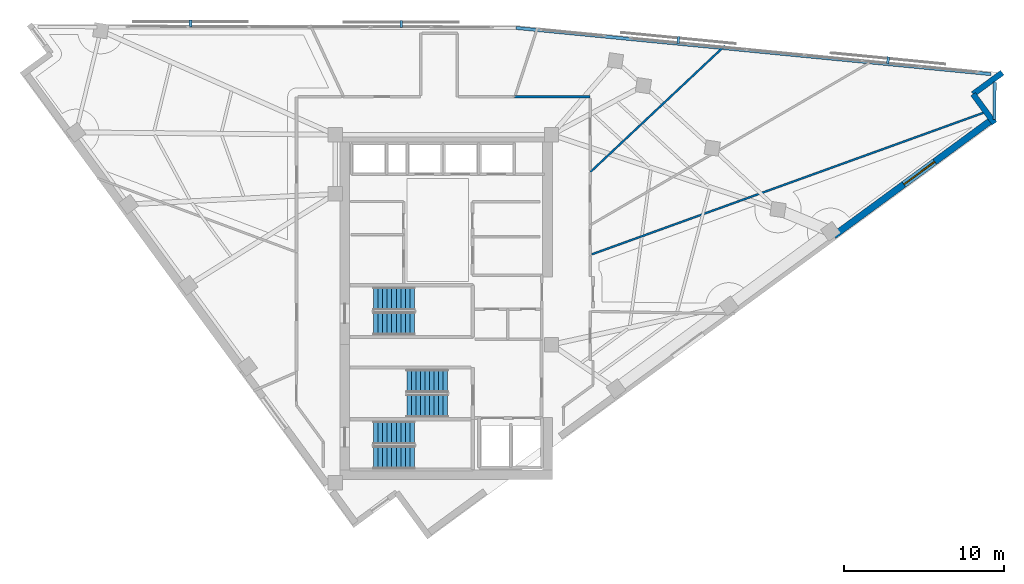
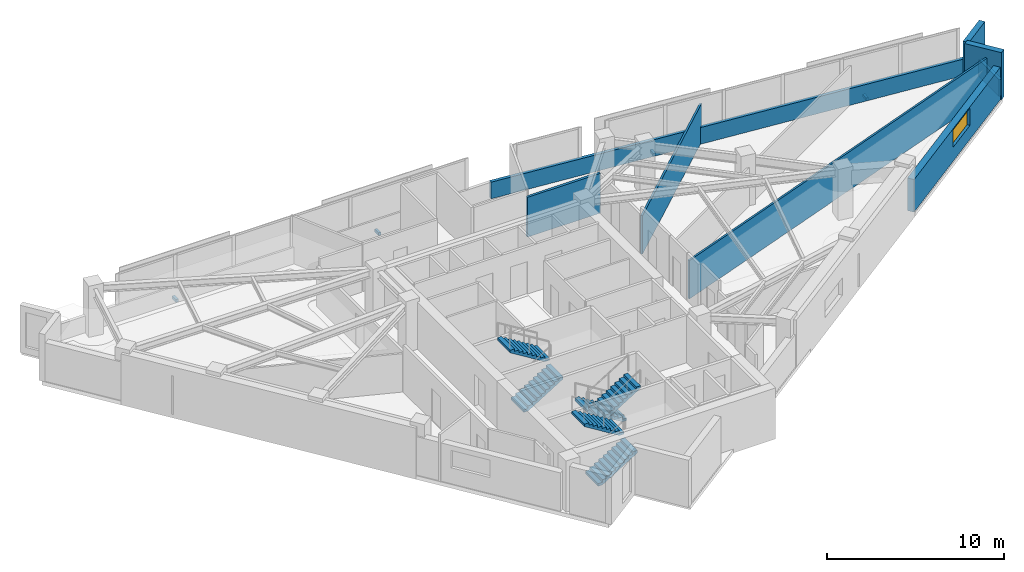
# One storey, part 12 of 14: 8 walls, 6 stair flights, 4 discrete accessories, 1 window, 1 opening, 3 elements without a shape of their own.
"""IFC4 building model written with IfcOpenShell, lengths in metres."""

from ifc_helpers import new_model, si_unit, direction, frame, frame_2d, origin, origin_2d, place, context, subcontext, project, spatial, polyline, rectangle, outline, extrude, material, layer, layer_set, type_object, element, fill, aggregate, save


model = new_model("IFC4")

# Units and contexts
model_context = context("Model", 3, precision=1e-05, world=origin(), true_north=direction((0.0, 1.0)))
body_context = subcontext(model_context, "Body", "Model", "MODEL_VIEW")
ifc_project = project(units=[si_unit("LENGTHUNIT", "METRE"), si_unit("AREAUNIT", "SQUARE_METRE"), si_unit("VOLUMEUNIT", "CUBIC_METRE"), si_unit("PLANEANGLEUNIT", "RADIAN"), si_unit("MASSUNIT", "GRAM", prefix="KILO")], contexts=[model_context])

# Site, building, storey
site_placement = place(None, origin())
site = spatial("IfcSite", under=ifc_project, at=site_placement, CompositionType="ELEMENT")
building_placement = place(site_placement, origin())
building = spatial("IfcBuilding", under=site, at=building_placement, Name="Narakoshi Arena Tower", CompositionType="ELEMENT")
storey_placement = place(building_placement, frame((0.0, 0.0, 250.179931640625)))
storey = spatial("IfcBuildingStorey", under=building, at=storey_placement, Name="L68", CompositionType="ELEMENT", Elevation=250.179931640625)

# Walls
ifc_material_1 = material(Name="Gypsum plasterboard fire-rated partition")
ifc_layer_1 = layer(ifc_material_1, 0.1650390625)
ifc_layer_set_1 = layer_set([ifc_layer_1], Name="Gypsum plasterboard fire-rated partition")
wall_type_1 = type_object("IfcWallType", Name="WL-CORR-165", PredefinedType="PARTITIONING", material=ifc_layer_set_1)
wall_1_placement = place(storey_placement, frame((87.976318359375, 58.87646484375, 0.0), z_axis=(0.0, 0.0, 1.0), x_axis=(-1.0, 0.0, 0.0)))
element("IfcWall", 1, at=wall_1_placement, inside=storey, type_object=wall_type_1, Name="L68 Corridor Partition 06-1", PredefinedType="PARTITIONING", context=body_context, shape_type="SweptSolid", body=[
    extrude(rectangle(XDim=4.760009765625, YDim=0.1650390625, at=frame_2d((2.3798828125, 0.0))), origin(), (0.0, 0.0, 1.0), 2.7451171875),
])
ifc_material_2 = material(Name="Precast concrete C45/55", Category="concrete")
ifc_layer_2 = layer(ifc_material_2, 0.25)
ifc_layer_set_2 = layer_set([ifc_layer_2], Name="Precast concrete C45/55")
wall_type_2 = type_object("IfcWallType", Name="WL-PARA-250", PredefinedType="PARAPET", material=ifc_layer_set_2)
wall_2_placement = place(storey_placement, frame((113.307861328125, 57.468017578125, 0.0), z_axis=(0.0, 0.0, 1.0), x_axis=(0.004415432147, 0.999990251932, 0.0)))
element("IfcWall", 2, at=wall_2_placement, inside=storey, type_object=wall_type_2, Name="L68 Architectural Setback Ledge Parapet", PredefinedType="PARAPET", context=body_context, shape_type="SweptSolid", body=[
    extrude(rectangle(XDim=2.322265625, YDim=0.199951171875, at=frame_2d((1.1611328125, 0.0))), origin(), (0.0, 0.0, 1.0), 1.150146484375),
])
wall_3_placement = place(storey_placement, frame((113.093505859375, 60.296630859375, 0.0), z_axis=(0.0, 0.0, 1.0), x_axis=(-0.995299069493, 0.096849172769, 0.0)))
element("IfcWall", 3, at=wall_3_placement, inside=storey, type_object=wall_type_2, Name="L68 Hypotenuse Sill Upstand Parapet 1-01", PredefinedType="PARAPET", context=body_context, shape_type="SweptSolid", body=[
    extrude(rectangle(XDim=29.917236328125, YDim=0.199951171875, at=frame_2d((14.95849609375, 0.0))), origin(), (0.0, 0.0, 1.0), 1.150146484375),
])
ifc_layer_3 = layer(ifc_material_1, 0.125)
ifc_layer_set_3 = layer_set([ifc_layer_3], Name="Gypsum plasterboard fire-rated partition")
wall_type_3 = type_object("IfcWallType", Name="WL-PART-125", PredefinedType="PARTITIONING", material=ifc_layer_set_3)
wall_4_placement = place(storey_placement, frame((112.77978515625, 57.9365234375, 0.0), z_axis=(0.0, 0.0, 1.0), x_axis=(-0.940468773031, -0.339880106734, 0.0)))
element("IfcWall", 4, at=wall_4_placement, inside=storey, type_object=wall_type_3, Name="L68 Inter-Room Partition 03-04", PredefinedType="PARTITIONING", context=body_context, shape_type="SweptSolid", body=[
    extrude(rectangle(XDim=26.27294921875, YDim=0.125, at=frame_2d((13.136474609375, 0.0))), origin(), (0.0, 0.0, 1.0), 2.64501953125),
])
wall_5_placement = place(storey_placement, frame((87.976318359375, 54.15576171875, 0.0), z_axis=(0.0, 0.0, 1.0), x_axis=(0.72887582032, 0.68464592203, 0.0)))
element("IfcWall", 5, at=wall_5_placement, inside=storey, type_object=wall_type_3, Name="L68 Inter-Room Partition 05-06", PredefinedType="PARTITIONING", context=body_context, shape_type="SweptSolid", body=[
    extrude(rectangle(XDim=11.574951171875, YDim=0.125, at=frame_2d((5.78759765625, 0.0))), origin(), (0.0, 0.0, 1.0), 2.64501953125),
])

# Wall, opening, window
ifc_layer_4 = layer(ifc_material_2, 0.419921875)
ifc_layer_set_4 = layer_set([ifc_layer_4], Name="Precast concrete C45/55")
wall_type_4 = type_object("IfcWallType", Name="WL-POD-420", PredefinedType="SOLIDWALL", material=ifc_layer_set_4)
wall_6_placement = place(storey_placement, frame((103.236572265625, 50.17529296875, 0.0), z_axis=(0.0, 0.0, 1.0), x_axis=(0.80643721533, 0.591319725471, 0.0)))
wall_6 = element("IfcWall", 6, at=wall_6_placement, inside=storey, type_object=wall_type_4, Name="L68 Architectural Concrete Facade Wall LEGA-4", PredefinedType="SOLIDWALL", context=body_context, shape_type="SweptSolid", body=[
    extrude(rectangle(XDim=12.285400390625, YDim=0.419921875, at=frame_2d((6.142578125, 0.0))), origin(), (0.0, 0.0, 1.0), 2.2451171875),
])
opening_placement = place(wall_6_placement, frame((5.443359375, 0.0, 0.965087890625)))
opening = element("IfcOpeningElement", 7, at=opening_placement, cuts=wall_6, Name="Opening WN-04", PredefinedType="OPENING", context=body_context, shape_type="SweptSolid", body=[
    extrude(rectangle(XDim=2.39990234375, YDim=1.199951171875, at=frame_2d((1.199951171875, 0.60009765625))), frame((0.0, 0.219970703125, 0.0), z_axis=(0.0, -1.0, 0.0), x_axis=(1.0, 0.0, 0.0)), (0.0, 0.0, 1.0), 0.43994140625),
])
ifc_material_3 = material(Name="Bronze-tinted low-E laminated glass", Category="glass")
window_type = type_object("IfcWindowType", Name="WIN-SLT-24x12", PartitioningType="SINGLE_PANEL", PredefinedType="WINDOW", material=ifc_material_3)
window_placement = place(opening_placement, origin())
window = element("IfcWindow", 8, at=window_placement, inside=storey, type_object=window_type, Name="L68 LEGA4 Horizontal Slot Window 1", OverallHeight=1.199951171875, OverallWidth=2.39990234375, PartitioningType="SINGLE_PANEL", PredefinedType="WINDOW", context=body_context, shape_type="SweptSolid", body=[
    extrude(rectangle(XDim=2.39990234375, YDim=1.199951171875, at=frame_2d((1.199951171875, 0.60009765625))), frame((0.0, 0.030029296875, 0.0), z_axis=(0.0, -1.0, 0.0), x_axis=(1.0, 0.0, 0.0)), (0.0, 0.0, 1.0), 0.06005859375),
])
fill(opening, window)

# Walls
wall_7_placement = place(storey_placement, frame((113.306640625, 57.218017578125, 0.0), z_axis=(0.0, 0.0, 1.0), x_axis=(-0.591251685745, 0.806487101015, 0.0)))
element("IfcWall", 9, at=wall_7_placement, inside=storey, type_object=wall_type_4, Name="L68 Re-Entrant Corner Notch Wall NTE-1", PredefinedType="SOLIDWALL", context=body_context, shape_type="SweptSolid", body=[
    extrude(rectangle(XDim=2.2685546875, YDim=0.360107421875, at=frame_2d((1.13427734375, 0.0))), origin(), (0.0, 0.0, 1.0), 3.260009765625),
])
wall_8_placement = place(storey_placement, frame((111.96533203125, 59.047607421875, 0.0), z_axis=(0.0, 0.0, 1.0), x_axis=(0.806435785153, 0.59132167593, 0.0)))
element("IfcWall", 10, at=wall_8_placement, inside=storey, type_object=wall_type_4, Name="L68 Re-Entrant Corner Notch Wall NTE-2", PredefinedType="SOLIDWALL", context=body_context, shape_type="SweptSolid", body=[
    extrude(rectangle(XDim=2.268798828125, YDim=0.360107421875, at=frame_2d((1.13427734375, 0.0))), origin(), (0.0, 0.0, 1.0), 3.260009765625),
])

# Stair, stair flights
ifc_material_4 = material(Name="Concrete C45/55", Category="concrete")
stair_type = type_object("IfcStairType", Name="STR-CORE-352", PredefinedType="TWO_STRAIGHT_RUN_STAIR", material=ifc_material_4)
stair_1_placement = place(storey_placement, origin())
stair_1 = element("IfcStair", 11, at=stair_1_placement, inside=storey, type_object=stair_type, Name="L68 Core Escape Stair ST1", PredefinedType="TWO_STRAIGHT_RUN_STAIR")
stair_flight_type = type_object("IfcStairFlightType", Name="FLT-145-160", PredefinedType="STRAIGHT", material=ifc_material_2)
stair_flight_1_placement = place(storey_placement, frame((74.39990234375, 36.27490234375, 0.0), z_axis=(0.0, 0.0, 1.0), x_axis=(1.0, 0.0, 0.0)))
stair_flight_1 = element("IfcStairFlight", 12, at=stair_flight_1_placement, type_object=stair_flight_type, Name="ST1 flight 1", NumberOfRisers=10, NumberOfTreads=9, PredefinedType="STRAIGHT", RiserHeight=0.176, TreadLength=0.285, context=body_context, shape_type="SweptSolid", body=[
    extrude(outline(polyline([(0.0, 0.0), (0.0, 0.176025390625), (0.284912109375, 0.176025390625), (0.284912109375, 0.35205078125), (0.570068359375, 0.35205078125), (0.570068359375, 0.528076171875), (0.85498046875, 0.528076171875), (0.85498046875, 0.7041015625), (1.139892578125, 0.7041015625), (1.139892578125, 0.8798828125), (1.425048828125, 0.8798828125), (1.425048828125, 1.055908203125), (1.7099609375, 1.055908203125), (1.7099609375, 1.23193359375), (1.9951171875, 1.23193359375), (1.9951171875, 1.407958984375), (2.280029296875, 1.407958984375), (2.280029296875, 1.583984375), (2.56494140625, 1.583984375), (2.56494140625, 1.760009765625), (2.56494140625, 1.40771484375), (0.285400390625, 0.0), (0.0, 0.0)])), frame((0.0, 0.72509765625, 0.0), z_axis=(0.0, -1.0, 0.0), x_axis=(1.0, 0.0, 0.0)), (0.0, 0.0, 1.0), 1.449951171875),
])
stair_flight_2_placement = place(storey_placement, frame((76.965087890625, 37.824951171875, 1.760009765625), z_axis=(0.0, 0.0, 1.0), x_axis=(-1.0, 0.0, 0.0)))
stair_flight_2 = element("IfcStairFlight", 13, at=stair_flight_2_placement, type_object=stair_flight_type, Name="ST1 flight 2", NumberOfRisers=10, NumberOfTreads=9, PredefinedType="STRAIGHT", RiserHeight=0.176, TreadLength=0.285, context=body_context, shape_type="SweptSolid", body=[
    extrude(outline(polyline([(0.0, 0.0), (0.0, 0.176025390625), (0.284912109375, 0.176025390625), (0.284912109375, 0.35205078125), (0.570068359375, 0.35205078125), (0.570068359375, 0.528076171875), (0.85498046875, 0.528076171875), (0.85498046875, 0.7041015625), (1.139892578125, 0.7041015625), (1.139892578125, 0.8798828125), (1.425048828125, 0.8798828125), (1.425048828125, 1.055908203125), (1.7099609375, 1.055908203125), (1.7099609375, 1.23193359375), (1.9951171875, 1.23193359375), (1.9951171875, 1.407958984375), (2.280029296875, 1.407958984375), (2.280029296875, 1.583984375), (2.56494140625, 1.583984375), (2.56494140625, 1.760009765625), (2.56494140625, 1.40771484375), (0.285400390625, 0.0), (0.0, 0.0)])), frame((0.0, 0.72509765625, 0.0), z_axis=(0.0, -1.0, 0.0), x_axis=(1.0, 0.0, 0.0)), (0.0, 0.0, 1.0), 1.449951171875),
])
aggregate(stair_1, [stair_flight_1, stair_flight_2])

stair_2_placement = place(storey_placement, origin())
stair_2 = element("IfcStair", 14, at=stair_2_placement, inside=storey, type_object=stair_type, Name="L68 Core Escape Stair ST2", PredefinedType="TWO_STRAIGHT_RUN_STAIR")
stair_flight_3_placement = place(storey_placement, frame((79.050048828125, 41.074951171875, 0.0), z_axis=(0.0, 0.0, 1.0), x_axis=(-1.0, 0.0, 0.0)))
stair_flight_3 = element("IfcStairFlight", 15, at=stair_flight_3_placement, type_object=stair_flight_type, Name="ST2 flight 1", NumberOfRisers=10, NumberOfTreads=9, PredefinedType="STRAIGHT", RiserHeight=0.176, TreadLength=0.285, context=body_context, shape_type="SweptSolid", body=[
    extrude(outline(polyline([(0.0, 0.0), (0.0, 0.176025390625), (0.284912109375, 0.176025390625), (0.284912109375, 0.35205078125), (0.570068359375, 0.35205078125), (0.570068359375, 0.528076171875), (0.85498046875, 0.528076171875), (0.85498046875, 0.7041015625), (1.139892578125, 0.7041015625), (1.139892578125, 0.8798828125), (1.425048828125, 0.8798828125), (1.425048828125, 1.055908203125), (1.7099609375, 1.055908203125), (1.7099609375, 1.23193359375), (1.9951171875, 1.23193359375), (1.9951171875, 1.407958984375), (2.280029296875, 1.407958984375), (2.280029296875, 1.583984375), (2.56494140625, 1.583984375), (2.56494140625, 1.760009765625), (2.56494140625, 1.40771484375), (0.285400390625, 0.0), (0.0, 0.0)])), frame((0.0, 0.72509765625, 0.0), z_axis=(0.0, -1.0, 0.0), x_axis=(1.0, 0.0, 0.0)), (0.0, 0.0, 1.0), 1.449951171875),
])
stair_flight_4_placement = place(storey_placement, frame((76.485107421875, 39.52490234375, 1.760009765625), z_axis=(0.0, 0.0, 1.0), x_axis=(1.0, 0.0, 0.0)))
stair_flight_4 = element("IfcStairFlight", 16, at=stair_flight_4_placement, type_object=stair_flight_type, Name="ST2 flight 2", NumberOfRisers=10, NumberOfTreads=9, PredefinedType="STRAIGHT", RiserHeight=0.176, TreadLength=0.285, context=body_context, shape_type="SweptSolid", body=[
    extrude(outline(polyline([(0.0, 0.0), (0.0, 0.176025390625), (0.284912109375, 0.176025390625), (0.284912109375, 0.35205078125), (0.570068359375, 0.35205078125), (0.570068359375, 0.528076171875), (0.85498046875, 0.528076171875), (0.85498046875, 0.7041015625), (1.139892578125, 0.7041015625), (1.139892578125, 0.8798828125), (1.425048828125, 0.8798828125), (1.425048828125, 1.055908203125), (1.7099609375, 1.055908203125), (1.7099609375, 1.23193359375), (1.9951171875, 1.23193359375), (1.9951171875, 1.407958984375), (2.280029296875, 1.407958984375), (2.280029296875, 1.583984375), (2.56494140625, 1.583984375), (2.56494140625, 1.760009765625), (2.56494140625, 1.40771484375), (0.285400390625, 0.0), (0.0, 0.0)])), frame((0.0, 0.72509765625, 0.0), z_axis=(0.0, -1.0, 0.0), x_axis=(1.0, 0.0, 0.0)), (0.0, 0.0, 1.0), 1.449951171875),
])
aggregate(stair_2, [stair_flight_3, stair_flight_4])

stair_3_placement = place(storey_placement, origin())
stair_3 = element("IfcStair", 17, at=stair_3_placement, inside=storey, type_object=stair_type, Name="L68 Core Escape Stair ST3", PredefinedType="TWO_STRAIGHT_RUN_STAIR")
stair_flight_5_placement = place(storey_placement, frame((74.39990234375, 44.675048828125, 0.0), z_axis=(0.0, 0.0, 1.0), x_axis=(1.0, 0.0, 0.0)))
stair_flight_5 = element("IfcStairFlight", 18, at=stair_flight_5_placement, type_object=stair_flight_type, Name="ST3 flight 1", NumberOfRisers=10, NumberOfTreads=9, PredefinedType="STRAIGHT", RiserHeight=0.176, TreadLength=0.285, context=body_context, shape_type="SweptSolid", body=[
    extrude(outline(polyline([(0.0, 0.0), (0.0, 0.176025390625), (0.284912109375, 0.176025390625), (0.284912109375, 0.35205078125), (0.570068359375, 0.35205078125), (0.570068359375, 0.528076171875), (0.85498046875, 0.528076171875), (0.85498046875, 0.7041015625), (1.139892578125, 0.7041015625), (1.139892578125, 0.8798828125), (1.425048828125, 0.8798828125), (1.425048828125, 1.055908203125), (1.7099609375, 1.055908203125), (1.7099609375, 1.23193359375), (1.9951171875, 1.23193359375), (1.9951171875, 1.407958984375), (2.280029296875, 1.407958984375), (2.280029296875, 1.583984375), (2.56494140625, 1.583984375), (2.56494140625, 1.760009765625), (2.56494140625, 1.40771484375), (0.285400390625, 0.0), (0.0, 0.0)])), frame((0.0, 0.72509765625, 0.0), z_axis=(0.0, -1.0, 0.0), x_axis=(1.0, 0.0, 0.0)), (0.0, 0.0, 1.0), 1.449951171875),
])
stair_flight_6_placement = place(storey_placement, frame((76.965087890625, 46.22509765625, 1.760009765625), z_axis=(0.0, 0.0, 1.0), x_axis=(-1.0, 0.0, 0.0)))
stair_flight_6 = element("IfcStairFlight", 19, at=stair_flight_6_placement, type_object=stair_flight_type, Name="ST3 flight 2", NumberOfRisers=10, NumberOfTreads=9, PredefinedType="STRAIGHT", RiserHeight=0.176, TreadLength=0.285, context=body_context, shape_type="SweptSolid", body=[
    extrude(outline(polyline([(0.0, 0.0), (0.0, 0.176025390625), (0.284912109375, 0.176025390625), (0.284912109375, 0.35205078125), (0.570068359375, 0.35205078125), (0.570068359375, 0.528076171875), (0.85498046875, 0.528076171875), (0.85498046875, 0.7041015625), (1.139892578125, 0.7041015625), (1.139892578125, 0.8798828125), (1.425048828125, 0.8798828125), (1.425048828125, 1.055908203125), (1.7099609375, 1.055908203125), (1.7099609375, 1.23193359375), (1.9951171875, 1.23193359375), (1.9951171875, 1.407958984375), (2.280029296875, 1.407958984375), (2.280029296875, 1.583984375), (2.56494140625, 1.583984375), (2.56494140625, 1.760009765625), (2.56494140625, 1.40771484375), (0.285400390625, 0.0), (0.0, 0.0)])), frame((0.0, 0.72509765625, 0.0), z_axis=(0.0, -1.0, 0.0), x_axis=(1.0, 0.0, 0.0)), (0.0, 0.0, 1.0), 1.449951171875),
])
aggregate(stair_3, [stair_flight_5, stair_flight_6])

# Discrete accessories
ifc_material_5 = material(Name="Structural steel S355J2", Category="steel")
discrete_accessory_type = type_object("IfcDiscreteAccessoryType", Name="ACC-BRK-SCR", PredefinedType="BRACKET", material=ifc_material_5)
for number, where, z_axis, x_axis, name in (
    (20, (106.636474609375, 61.166015625, -0.080078125), (0.0, 0.0, 1.0), (-0.995298664587, 0.096853333819, 0.0), "L68 Solar Screen Support Bracket SHD-L68-SCR1-1"),
    (21, (93.498291015625, 62.444580078125, -0.080078125), (0.0, 0.0, 1.0), (-0.995298664587, 0.096853333819, 0.0), "L68 Solar Screen Support Bracket SHD-L68-SCR1-2"),
    (22, (76.1328125, 63.4462890625, -0.080078125), (0.0, 0.0, 1.0), (-0.999998352629, 0.001815141425, 0.0), "L68 Solar Screen Support Bracket SHD-L68-SCR2-1"),
    (23, (62.9326171875, 63.470458984375, -0.080078125), (0.0, 0.0, 1.0), (-0.999998352629, 0.001815141425, 0.0), "L68 Solar Screen Support Bracket SHD-L68-SCR2-2"),
):
    element("IfcDiscreteAccessory", number, at=place(storey_placement, frame(where, z_axis=z_axis, x_axis=x_axis)), inside=storey, type_object=discrete_accessory_type, Name=name, PredefinedType="BRACKET", context=body_context, shape_type="SweptSolid", body=[
        extrude(rectangle(XDim=0.159912109375, YDim=0.43994140625, at=origin_2d()), origin(), (0.0, 0.0, 1.0), 0.199951171875),
    ])

save(model, "model.ifc")
